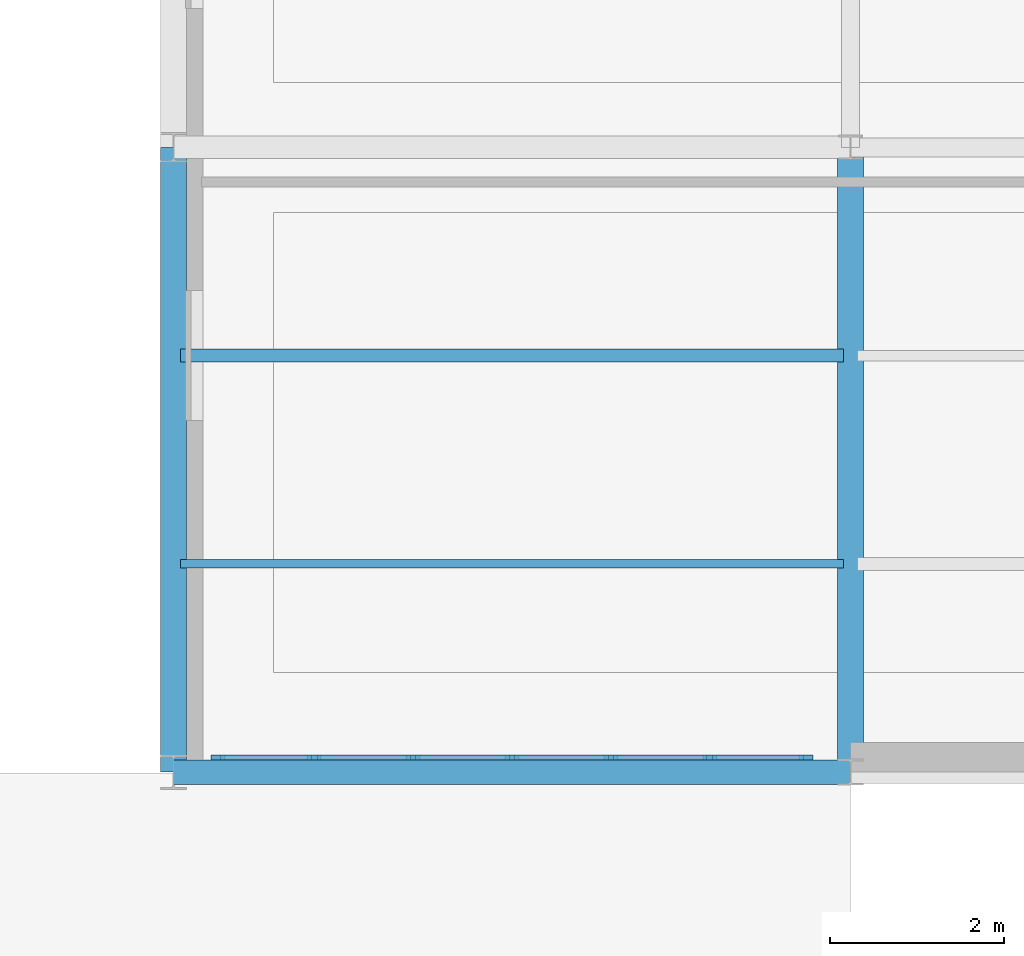
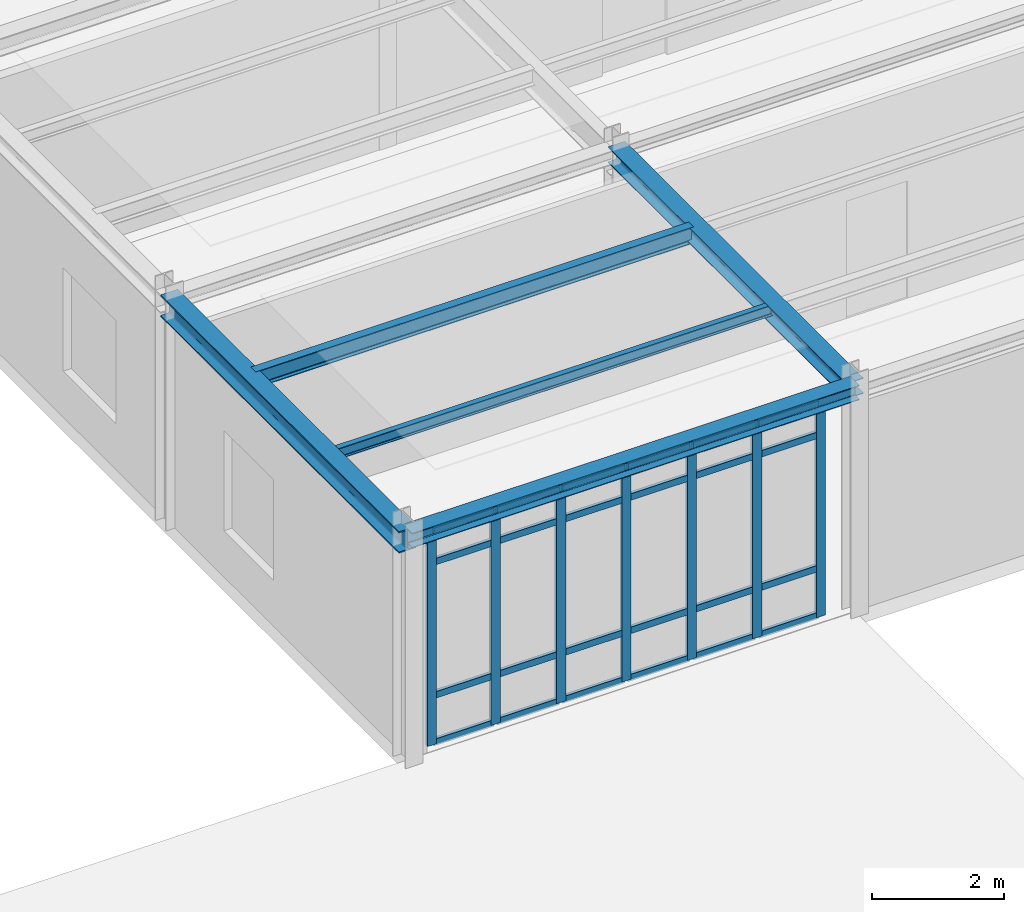
# One storey, part 41 of 101: 31 members, 5 beams, 1 element without a shape of its own.
"""IFC4 building model written with IfcOpenShell, lengths in metres."""

from ifc_helpers import new_model, si_unit, derived_unit, direction, frame, origin, origin_2d, place, context, subcontext, project, spatial, rectangle, i_section, extrude, material, layer, layer_set, material_profile, profile_set, type_object, element, aggregate, save


model = new_model("IFC4")

# Units and contexts
model_context = context("Model", 3, precision=1e-05, world=origin(), true_north=direction((0.0, 1.0)))
body_context = subcontext(model_context, "Body", "Model", "MODEL_VIEW")
ifc_project = project(units=[si_unit("LENGTHUNIT", "METRE"), si_unit("AREAUNIT", "SQUARE_METRE"), si_unit("VOLUMEUNIT", "CUBIC_METRE"), si_unit("PLANEANGLEUNIT", "RADIAN"), si_unit("MASSUNIT", "GRAM", prefix="KILO"), derived_unit("THERMALTRANSMITTANCEUNIT", [(si_unit("POWERUNIT", "WATT"), 1), (si_unit("AREAUNIT", "SQUARE_METRE"), -1), (si_unit("THERMODYNAMICTEMPERATUREUNIT", "KELVIN"), -1)])], contexts=[model_context])

# Site, building, storey
site_placement = place(None, origin())
site = spatial("IfcSite", under=ifc_project, at=site_placement, CompositionType="ELEMENT")
building_placement = place(site_placement, origin())
building = spatial("IfcBuilding", under=site, at=building_placement, Name="Yasenodar Specialist Clinic", CompositionType="ELEMENT")
storey_placement = place(building_placement, origin())
storey = spatial("IfcBuildingStorey", under=building, at=storey_placement, Name="L00", CompositionType="ELEMENT", Elevation=0.0)

# Beams
ifc_material_1 = material(Name="Steel S355", Category="steel")
ifc_material_profile_1 = material_profile(ifc_material_1, i_section(OverallWidth=0.280029296875, OverallDepth=0.27001953125, WebThickness=0.008056640625, FlangeThickness=0.012939453125, FilletRadius=0.02392578125, at=origin_2d()), Name="HEA 280")
ifc_profile_set_1 = profile_set([ifc_material_profile_1], Name="Steel S355")
beam_type_1 = type_object("IfcBeamType", Name="BM-HEA280", PredefinedType="BEAM", material=ifc_profile_set_1)
beam_1_placement = place(storey_placement, frame((49.199951171875, 82.800048828125, 4.114990234375), z_axis=(1.0, 0.0, 0.0), x_axis=(0.0, 1.0, 0.0)))
element("IfcBeam", 1, at=beam_1_placement, inside=storey, type_object=beam_type_1, Name="L00 Primary E-W Girder", PredefinedType="BEAM", context=body_context, shape_type="SweptSolid", body=[
    extrude(i_section(OverallWidth=0.280029296875, OverallDepth=0.27001953125, WebThickness=0.008056640625, FlangeThickness=0.012939453125, FilletRadius=0.02392578125, at=origin_2d()), origin(), (0.0, 0.0, 1.0), 7.800048828125),
])
ifc_material_profile_2 = material_profile(ifc_material_1, i_section(OverallWidth=0.300048828125, OverallDepth=0.2900390625, WebThickness=0.008544921875, FlangeThickness=0.013916015625, FilletRadius=0.027099609375, at=origin_2d()), Name="HEA 300")
ifc_profile_set_2 = profile_set([ifc_material_profile_2], Name="Steel S355")
beam_type_2 = type_object("IfcBeamType", Name="BM-HEA300", PredefinedType="BEAM", material=ifc_profile_set_2)
beam_2_placement = place(storey_placement, frame((57.0, 82.800048828125, 4.10498046875), z_axis=(0.0, 1.0, 0.0), x_axis=(-1.0, 0.0, 0.0)))
element("IfcBeam", 2, at=beam_2_placement, inside=storey, type_object=beam_type_2, Name="L00 Primary N-S Girder", PredefinedType="BEAM", context=body_context, shape_type="SweptSolid", body=[
    extrude(i_section(OverallWidth=0.300048828125, OverallDepth=0.2900390625, WebThickness=0.008544921875, FlangeThickness=0.013916015625, FilletRadius=0.027099609375, at=origin_2d()), origin(), (0.0, 0.0, 1.0), 7.199951171875),
])
ifc_material_profile_3 = material_profile(ifc_material_1, i_section(OverallWidth=0.300048828125, OverallDepth=0.39990234375, WebThickness=0.013427734375, FlangeThickness=0.02392578125, FilletRadius=0.027099609375, at=origin_2d()), Name="HEB 400")
ifc_profile_set_3 = profile_set([ifc_material_profile_3], Name="Steel S355")
beam_type_3 = type_object("IfcBeamType", Name="BM-HEB400", PredefinedType="BEAM", material=ifc_profile_set_3)
beam_3_placement = place(storey_placement, frame((49.199951171875, 82.800048828125, 4.050048828125), z_axis=(0.0, 1.0, 0.0), x_axis=(-1.0, 0.0, 0.0)))
element("IfcBeam", 3, at=beam_3_placement, inside=storey, type_object=beam_type_3, Name="L00 Primary N-S Girder", PredefinedType="BEAM", context=body_context, shape_type="SweptSolid", body=[
    extrude(i_section(OverallWidth=0.300048828125, OverallDepth=0.39990234375, WebThickness=0.013427734375, FlangeThickness=0.02392578125, FilletRadius=0.027099609375, at=origin_2d()), origin(), (0.0, 0.0, 1.0), 7.199951171875),
])

# Curtain wall, members
ifc_material_2 = material(Name="Bronze Anodized Aluminium and Triple Low-E Glass", Category="aluminium")
ifc_layer = layer(ifc_material_2, 0.215087890625)
ifc_layer_set = layer_set([ifc_layer], Name="Bronze Anodized Aluminium and Triple Low-E Glass")
curtain_wall_type = type_object("IfcCurtainWallType", Name="CW-SYS-05", PredefinedType="USERDEFINED", material=ifc_layer_set)
curtain_wall_placement = place(storey_placement, origin())
curtain_wall = element("IfcCurtainWall", 4, at=curtain_wall_placement, inside=storey, type_object=curtain_wall_type, Name="L00 Unitised Curtain Wall 149", ObjectType="UNITISED CURTAIN WALL", PredefinedType="USERDEFINED")
ifc_material_3 = material(Name="Bronze Anodized Aluminium", Category="aluminium")
ifc_material_profile_4 = material_profile(ifc_material_3, rectangle(XDim=0.06005859375, YDim=0.159912109375, at=origin_2d()), Name="CW-MULL 60x160")
ifc_profile_set_4 = profile_set([ifc_material_profile_4], Name="Bronze Anodized Aluminium")
member_type_1 = type_object("IfcMemberType", Name="CW-MULL-160", PredefinedType="MULLION", material=ifc_profile_set_4)
member_1_placement = place(storey_placement, frame((56.489990234375, 82.969970703125, 0.0), z_axis=(0.0, 0.0, 1.0), x_axis=(0.0, -1.0, 0.0)))
member_1 = element("IfcMember", 5, at=member_1_placement, type_object=member_type_1, Name="CW-05 mullion 1", PredefinedType="MULLION", context=body_context, shape_type="SweptSolid", body=[
    extrude(rectangle(XDim=0.06005859375, YDim=0.159912109375, at=origin_2d()), origin(), (0.0, 0.0, 1.0), 3.9580078125),
])
member_2_placement = place(storey_placement, frame((55.3798828125, 82.969970703125, 0.0), z_axis=(0.0, 0.0, 1.0), x_axis=(0.0, -1.0, 0.0)))
member_2 = element("IfcMember", 6, at=member_2_placement, type_object=member_type_1, Name="CW-05 mullion 2", PredefinedType="MULLION", context=body_context, shape_type="SweptSolid", body=[
    extrude(rectangle(XDim=0.06005859375, YDim=0.159912109375, at=origin_2d()), origin(), (0.0, 0.0, 1.0), 3.9580078125),
])
member_3_placement = place(storey_placement, frame((54.239990234375, 82.969970703125, 0.0), z_axis=(0.0, 0.0, 1.0), x_axis=(0.0, -1.0, 0.0)))
member_3 = element("IfcMember", 7, at=member_3_placement, type_object=member_type_1, Name="CW-05 mullion 3", PredefinedType="MULLION", context=body_context, shape_type="SweptSolid", body=[
    extrude(rectangle(XDim=0.06005859375, YDim=0.159912109375, at=origin_2d()), origin(), (0.0, 0.0, 1.0), 3.9580078125),
])
member_4_placement = place(storey_placement, frame((53.10009765625, 82.969970703125, 0.0), z_axis=(0.0, 0.0, 1.0), x_axis=(0.0, -1.0, 0.0)))
member_4 = element("IfcMember", 8, at=member_4_placement, type_object=member_type_1, Name="CW-05 mullion 4", PredefinedType="MULLION", context=body_context, shape_type="SweptSolid", body=[
    extrude(rectangle(XDim=0.06005859375, YDim=0.159912109375, at=origin_2d()), origin(), (0.0, 0.0, 1.0), 3.9580078125),
])
member_5_placement = place(storey_placement, frame((51.9599609375, 82.969970703125, 0.0), z_axis=(0.0, 0.0, 1.0), x_axis=(0.0, -1.0, 0.0)))
member_5 = element("IfcMember", 9, at=member_5_placement, type_object=member_type_1, Name="CW-05 mullion 5", PredefinedType="MULLION", context=body_context, shape_type="SweptSolid", body=[
    extrude(rectangle(XDim=0.06005859375, YDim=0.159912109375, at=origin_2d()), origin(), (0.0, 0.0, 1.0), 3.9580078125),
])
member_6_placement = place(storey_placement, frame((50.820068359375, 82.969970703125, 0.0), z_axis=(0.0, 0.0, 1.0), x_axis=(0.0, -1.0, 0.0)))
member_6 = element("IfcMember", 10, at=member_6_placement, type_object=member_type_1, Name="CW-05 mullion 6", PredefinedType="MULLION", context=body_context, shape_type="SweptSolid", body=[
    extrude(rectangle(XDim=0.06005859375, YDim=0.159912109375, at=origin_2d()), origin(), (0.0, 0.0, 1.0), 3.9580078125),
])
member_7_placement = place(storey_placement, frame((49.7099609375, 82.969970703125, 0.0), z_axis=(0.0, 0.0, 1.0), x_axis=(0.0, -1.0, 0.0)))
member_7 = element("IfcMember", 11, at=member_7_placement, type_object=member_type_1, Name="CW-05 mullion 7", PredefinedType="MULLION", context=body_context, shape_type="SweptSolid", body=[
    extrude(rectangle(XDim=0.06005859375, YDim=0.159912109375, at=origin_2d()), origin(), (0.0, 0.0, 1.0), 3.9580078125),
])
ifc_material_profile_5 = material_profile(ifc_material_3, rectangle(XDim=0.06005859375, YDim=0.1201171875, at=origin_2d()), Name="CW-TRAN 60x120")
ifc_profile_set_5 = profile_set([ifc_material_profile_5], Name="Bronze Anodized Aluminium")
member_type_2 = type_object("IfcMemberType", Name="CW-TRAN-120", PredefinedType="USERDEFINED", material=ifc_profile_set_5)
member_8_placement = place(storey_placement, frame((56.4599609375, 82.969970703125, 0.030029296875), z_axis=(-1.0, 0.0, 0.0), x_axis=(0.0, -1.0, 0.0)))
member_8 = element("IfcMember", 12, at=member_8_placement, type_object=member_type_2, Name="CW-05 transom 1.1", ObjectType="TRANSOM", PredefinedType="USERDEFINED", context=body_context, shape_type="SweptSolid", body=[
    extrude(rectangle(XDim=0.06005859375, YDim=0.1201171875, at=origin_2d()), origin(), (0.0, 0.0, 1.0), 1.050048828125),
])
member_9_placement = place(storey_placement, frame((56.4599609375, 82.969970703125, 0.89990234375), z_axis=(-1.0, 0.0, 0.0), x_axis=(0.0, -1.0, 0.0)))
member_9 = element("IfcMember", 13, at=member_9_placement, type_object=member_type_2, Name="CW-05 transom 1.2", ObjectType="TRANSOM", PredefinedType="USERDEFINED", context=body_context, shape_type="SweptSolid", body=[
    extrude(rectangle(XDim=0.06005859375, YDim=0.1201171875, at=origin_2d()), origin(), (0.0, 0.0, 1.0), 1.050048828125),
])
member_10_placement = place(storey_placement, frame((56.4599609375, 82.969970703125, 3.35791015625), z_axis=(-1.0, 0.0, 0.0), x_axis=(0.0, -1.0, 0.0)))
member_10 = element("IfcMember", 14, at=member_10_placement, type_object=member_type_2, Name="CW-05 transom 1.3", ObjectType="TRANSOM", PredefinedType="USERDEFINED", context=body_context, shape_type="SweptSolid", body=[
    extrude(rectangle(XDim=0.06005859375, YDim=0.1201171875, at=origin_2d()), origin(), (0.0, 0.0, 1.0), 1.050048828125),
])
member_11_placement = place(storey_placement, frame((56.4599609375, 82.969970703125, 3.927978515625), z_axis=(-1.0, 0.0, 0.0), x_axis=(0.0, -1.0, 0.0)))
member_11 = element("IfcMember", 15, at=member_11_placement, type_object=member_type_2, Name="CW-05 transom 1.4", ObjectType="TRANSOM", PredefinedType="USERDEFINED", context=body_context, shape_type="SweptSolid", body=[
    extrude(rectangle(XDim=0.06005859375, YDim=0.1201171875, at=origin_2d()), origin(), (0.0, 0.0, 1.0), 1.050048828125),
])
member_12_placement = place(storey_placement, frame((55.35009765625, 82.969970703125, 0.030029296875), z_axis=(-1.0, 0.0, 0.0), x_axis=(0.0, -1.0, 0.0)))
member_12 = element("IfcMember", 16, at=member_12_placement, type_object=member_type_2, Name="CW-05 transom 2.1", ObjectType="TRANSOM", PredefinedType="USERDEFINED", context=body_context, shape_type="SweptSolid", body=[
    extrude(rectangle(XDim=0.06005859375, YDim=0.1201171875, at=origin_2d()), origin(), (0.0, 0.0, 1.0), 1.080078125),
])
member_13_placement = place(storey_placement, frame((55.35009765625, 82.969970703125, 0.89990234375), z_axis=(-1.0, 0.0, 0.0), x_axis=(0.0, -1.0, 0.0)))
member_13 = element("IfcMember", 17, at=member_13_placement, type_object=member_type_2, Name="CW-05 transom 2.2", ObjectType="TRANSOM", PredefinedType="USERDEFINED", context=body_context, shape_type="SweptSolid", body=[
    extrude(rectangle(XDim=0.06005859375, YDim=0.1201171875, at=origin_2d()), origin(), (0.0, 0.0, 1.0), 1.080078125),
])
member_14_placement = place(storey_placement, frame((55.35009765625, 82.969970703125, 3.35791015625), z_axis=(-1.0, 0.0, 0.0), x_axis=(0.0, -1.0, 0.0)))
member_14 = element("IfcMember", 18, at=member_14_placement, type_object=member_type_2, Name="CW-05 transom 2.3", ObjectType="TRANSOM", PredefinedType="USERDEFINED", context=body_context, shape_type="SweptSolid", body=[
    extrude(rectangle(XDim=0.06005859375, YDim=0.1201171875, at=origin_2d()), origin(), (0.0, 0.0, 1.0), 1.080078125),
])
member_15_placement = place(storey_placement, frame((55.35009765625, 82.969970703125, 3.927978515625), z_axis=(-1.0, 0.0, 0.0), x_axis=(0.0, -1.0, 0.0)))
member_15 = element("IfcMember", 19, at=member_15_placement, type_object=member_type_2, Name="CW-05 transom 2.4", ObjectType="TRANSOM", PredefinedType="USERDEFINED", context=body_context, shape_type="SweptSolid", body=[
    extrude(rectangle(XDim=0.06005859375, YDim=0.1201171875, at=origin_2d()), origin(), (0.0, 0.0, 1.0), 1.080078125),
])
member_16_placement = place(storey_placement, frame((54.2099609375, 82.969970703125, 0.030029296875), z_axis=(-1.0, 0.0, 0.0), x_axis=(0.0, -1.0, 0.0)))
member_16 = element("IfcMember", 20, at=member_16_placement, type_object=member_type_2, Name="CW-05 transom 3.1", ObjectType="TRANSOM", PredefinedType="USERDEFINED", context=body_context, shape_type="SweptSolid", body=[
    extrude(rectangle(XDim=0.06005859375, YDim=0.1201171875, at=origin_2d()), origin(), (0.0, 0.0, 1.0), 1.080078125),
])
member_17_placement = place(storey_placement, frame((54.2099609375, 82.969970703125, 0.89990234375), z_axis=(-1.0, 0.0, 0.0), x_axis=(0.0, -1.0, 0.0)))
member_17 = element("IfcMember", 21, at=member_17_placement, type_object=member_type_2, Name="CW-05 transom 3.2", ObjectType="TRANSOM", PredefinedType="USERDEFINED", context=body_context, shape_type="SweptSolid", body=[
    extrude(rectangle(XDim=0.06005859375, YDim=0.1201171875, at=origin_2d()), origin(), (0.0, 0.0, 1.0), 1.080078125),
])
member_18_placement = place(storey_placement, frame((54.2099609375, 82.969970703125, 3.35791015625), z_axis=(-1.0, 0.0, 0.0), x_axis=(0.0, -1.0, 0.0)))
member_18 = element("IfcMember", 22, at=member_18_placement, type_object=member_type_2, Name="CW-05 transom 3.3", ObjectType="TRANSOM", PredefinedType="USERDEFINED", context=body_context, shape_type="SweptSolid", body=[
    extrude(rectangle(XDim=0.06005859375, YDim=0.1201171875, at=origin_2d()), origin(), (0.0, 0.0, 1.0), 1.080078125),
])
member_19_placement = place(storey_placement, frame((54.2099609375, 82.969970703125, 3.927978515625), z_axis=(-1.0, 0.0, 0.0), x_axis=(0.0, -1.0, 0.0)))
member_19 = element("IfcMember", 23, at=member_19_placement, type_object=member_type_2, Name="CW-05 transom 3.4", ObjectType="TRANSOM", PredefinedType="USERDEFINED", context=body_context, shape_type="SweptSolid", body=[
    extrude(rectangle(XDim=0.06005859375, YDim=0.1201171875, at=origin_2d()), origin(), (0.0, 0.0, 1.0), 1.080078125),
])
member_20_placement = place(storey_placement, frame((53.070068359375, 82.969970703125, 0.030029296875), z_axis=(-1.0, 0.0, 0.0), x_axis=(0.0, -1.0, 0.0)))
member_20 = element("IfcMember", 24, at=member_20_placement, type_object=member_type_2, Name="CW-05 transom 4.1", ObjectType="TRANSOM", PredefinedType="USERDEFINED", context=body_context, shape_type="SweptSolid", body=[
    extrude(rectangle(XDim=0.06005859375, YDim=0.1201171875, at=origin_2d()), origin(), (0.0, 0.0, 1.0), 1.080078125),
])
member_21_placement = place(storey_placement, frame((53.070068359375, 82.969970703125, 0.89990234375), z_axis=(-1.0, 0.0, 0.0), x_axis=(0.0, -1.0, 0.0)))
member_21 = element("IfcMember", 25, at=member_21_placement, type_object=member_type_2, Name="CW-05 transom 4.2", ObjectType="TRANSOM", PredefinedType="USERDEFINED", context=body_context, shape_type="SweptSolid", body=[
    extrude(rectangle(XDim=0.06005859375, YDim=0.1201171875, at=origin_2d()), origin(), (0.0, 0.0, 1.0), 1.080078125),
])
member_22_placement = place(storey_placement, frame((53.070068359375, 82.969970703125, 3.35791015625), z_axis=(-1.0, 0.0, 0.0), x_axis=(0.0, -1.0, 0.0)))
member_22 = element("IfcMember", 26, at=member_22_placement, type_object=member_type_2, Name="CW-05 transom 4.3", ObjectType="TRANSOM", PredefinedType="USERDEFINED", context=body_context, shape_type="SweptSolid", body=[
    extrude(rectangle(XDim=0.06005859375, YDim=0.1201171875, at=origin_2d()), origin(), (0.0, 0.0, 1.0), 1.080078125),
])
member_23_placement = place(storey_placement, frame((53.070068359375, 82.969970703125, 3.927978515625), z_axis=(-1.0, 0.0, 0.0), x_axis=(0.0, -1.0, 0.0)))
member_23 = element("IfcMember", 27, at=member_23_placement, type_object=member_type_2, Name="CW-05 transom 4.4", ObjectType="TRANSOM", PredefinedType="USERDEFINED", context=body_context, shape_type="SweptSolid", body=[
    extrude(rectangle(XDim=0.06005859375, YDim=0.1201171875, at=origin_2d()), origin(), (0.0, 0.0, 1.0), 1.080078125),
])
member_24_placement = place(storey_placement, frame((51.929931640625, 82.969970703125, 0.030029296875), z_axis=(-1.0, 0.0, 0.0), x_axis=(0.0, -1.0, 0.0)))
member_24 = element("IfcMember", 28, at=member_24_placement, type_object=member_type_2, Name="CW-05 transom 5.1", ObjectType="TRANSOM", PredefinedType="USERDEFINED", context=body_context, shape_type="SweptSolid", body=[
    extrude(rectangle(XDim=0.06005859375, YDim=0.1201171875, at=origin_2d()), origin(), (0.0, 0.0, 1.0), 1.079833984375),
])
member_25_placement = place(storey_placement, frame((51.929931640625, 82.969970703125, 0.89990234375), z_axis=(-1.0, 0.0, 0.0), x_axis=(0.0, -1.0, 0.0)))
member_25 = element("IfcMember", 29, at=member_25_placement, type_object=member_type_2, Name="CW-05 transom 5.2", ObjectType="TRANSOM", PredefinedType="USERDEFINED", context=body_context, shape_type="SweptSolid", body=[
    extrude(rectangle(XDim=0.06005859375, YDim=0.1201171875, at=origin_2d()), origin(), (0.0, 0.0, 1.0), 1.079833984375),
])
member_26_placement = place(storey_placement, frame((51.929931640625, 82.969970703125, 3.35791015625), z_axis=(-1.0, 0.0, 0.0), x_axis=(0.0, -1.0, 0.0)))
member_26 = element("IfcMember", 30, at=member_26_placement, type_object=member_type_2, Name="CW-05 transom 5.3", ObjectType="TRANSOM", PredefinedType="USERDEFINED", context=body_context, shape_type="SweptSolid", body=[
    extrude(rectangle(XDim=0.06005859375, YDim=0.1201171875, at=origin_2d()), origin(), (0.0, 0.0, 1.0), 1.079833984375),
])
member_27_placement = place(storey_placement, frame((51.929931640625, 82.969970703125, 3.927978515625), z_axis=(-1.0, 0.0, 0.0), x_axis=(0.0, -1.0, 0.0)))
member_27 = element("IfcMember", 31, at=member_27_placement, type_object=member_type_2, Name="CW-05 transom 5.4", ObjectType="TRANSOM", PredefinedType="USERDEFINED", context=body_context, shape_type="SweptSolid", body=[
    extrude(rectangle(XDim=0.06005859375, YDim=0.1201171875, at=origin_2d()), origin(), (0.0, 0.0, 1.0), 1.079833984375),
])
member_28_placement = place(storey_placement, frame((50.7900390625, 82.969970703125, 0.030029296875), z_axis=(-1.0, 0.0, 0.0), x_axis=(0.0, -1.0, 0.0)))
member_28 = element("IfcMember", 32, at=member_28_placement, type_object=member_type_2, Name="CW-05 transom 6.1", ObjectType="TRANSOM", PredefinedType="USERDEFINED", context=body_context, shape_type="SweptSolid", body=[
    extrude(rectangle(XDim=0.06005859375, YDim=0.1201171875, at=origin_2d()), origin(), (0.0, 0.0, 1.0), 1.050048828125),
])
member_29_placement = place(storey_placement, frame((50.7900390625, 82.969970703125, 0.89990234375), z_axis=(-1.0, 0.0, 0.0), x_axis=(0.0, -1.0, 0.0)))
member_29 = element("IfcMember", 33, at=member_29_placement, type_object=member_type_2, Name="CW-05 transom 6.2", ObjectType="TRANSOM", PredefinedType="USERDEFINED", context=body_context, shape_type="SweptSolid", body=[
    extrude(rectangle(XDim=0.06005859375, YDim=0.1201171875, at=origin_2d()), origin(), (0.0, 0.0, 1.0), 1.050048828125),
])
member_30_placement = place(storey_placement, frame((50.7900390625, 82.969970703125, 3.35791015625), z_axis=(-1.0, 0.0, 0.0), x_axis=(0.0, -1.0, 0.0)))
member_30 = element("IfcMember", 34, at=member_30_placement, type_object=member_type_2, Name="CW-05 transom 6.3", ObjectType="TRANSOM", PredefinedType="USERDEFINED", context=body_context, shape_type="SweptSolid", body=[
    extrude(rectangle(XDim=0.06005859375, YDim=0.1201171875, at=origin_2d()), origin(), (0.0, 0.0, 1.0), 1.050048828125),
])
member_31_placement = place(storey_placement, frame((50.7900390625, 82.969970703125, 3.927978515625), z_axis=(-1.0, 0.0, 0.0), x_axis=(0.0, -1.0, 0.0)))
member_31 = element("IfcMember", 35, at=member_31_placement, type_object=member_type_2, Name="CW-05 transom 6.4", ObjectType="TRANSOM", PredefinedType="USERDEFINED", context=body_context, shape_type="SweptSolid", body=[
    extrude(rectangle(XDim=0.06005859375, YDim=0.1201171875, at=origin_2d()), origin(), (0.0, 0.0, 1.0), 1.050048828125),
])
aggregate(curtain_wall, [member_1, member_2, member_3, member_4, member_5, member_6, member_7, member_8, member_9, member_10, member_11, member_12, member_13, member_14, member_15, member_16, member_17, member_18, member_19, member_20, member_21, member_22, member_23, member_24, member_25, member_26, member_27, member_28, member_29, member_30, member_31])

# Beams
ifc_material_profile_6 = material_profile(ifc_material_1, i_section(OverallWidth=0.10009765625, OverallDepth=0.199951171875, WebThickness=0.005615234375, FlangeThickness=0.008544921875, FilletRadius=0.011962890625, at=origin_2d()), Name="IPE 200")
ifc_profile_set_6 = profile_set([ifc_material_profile_6], Name="Steel S355")
beam_type_4 = type_object("IfcBeamType", Name="JS-IPE200", PredefinedType="JOIST", material=ifc_profile_set_6)
beam_4_placement = place(storey_placement, frame((49.280029296875, 85.199951171875, 4.14990234375), z_axis=(1.0, 0.0, 0.0), x_axis=(0.0, 1.0, 0.0)))
element("IfcBeam", 36, at=beam_4_placement, inside=storey, type_object=beam_type_4, Name="L00 Composite Floor Joist", PredefinedType="JOIST", context=body_context, shape_type="SweptSolid", body=[
    extrude(i_section(OverallWidth=0.10009765625, OverallDepth=0.199951171875, WebThickness=0.005615234375, FlangeThickness=0.008544921875, FilletRadius=0.011962890625, at=origin_2d()), origin(), (0.0, 0.0, 1.0), 7.639892578125),
])
ifc_material_profile_7 = material_profile(ifc_material_1, i_section(OverallWidth=0.14990234375, OverallDepth=0.300048828125, WebThickness=0.007080078125, FlangeThickness=0.0107421875, FilletRadius=0.014892578125, at=origin_2d()), Name="IPE 300")
ifc_profile_set_7 = profile_set([ifc_material_profile_7], Name="Steel S355")
beam_type_5 = type_object("IfcBeamType", Name="JS-IPE300", PredefinedType="JOIST", material=ifc_profile_set_7)
beam_5_placement = place(storey_placement, frame((49.280029296875, 87.60009765625, 4.10009765625), z_axis=(1.0, 0.0, 0.0), x_axis=(0.0, 1.0, 0.0)))
element("IfcBeam", 37, at=beam_5_placement, inside=storey, type_object=beam_type_5, Name="L00 Composite Floor Joist", PredefinedType="JOIST", context=body_context, shape_type="SweptSolid", body=[
    extrude(i_section(OverallWidth=0.14990234375, OverallDepth=0.300048828125, WebThickness=0.007080078125, FlangeThickness=0.0107421875, FilletRadius=0.014892578125, at=origin_2d()), origin(), (0.0, 0.0, 1.0), 7.639892578125),
])

save(model, "model.ifc")
